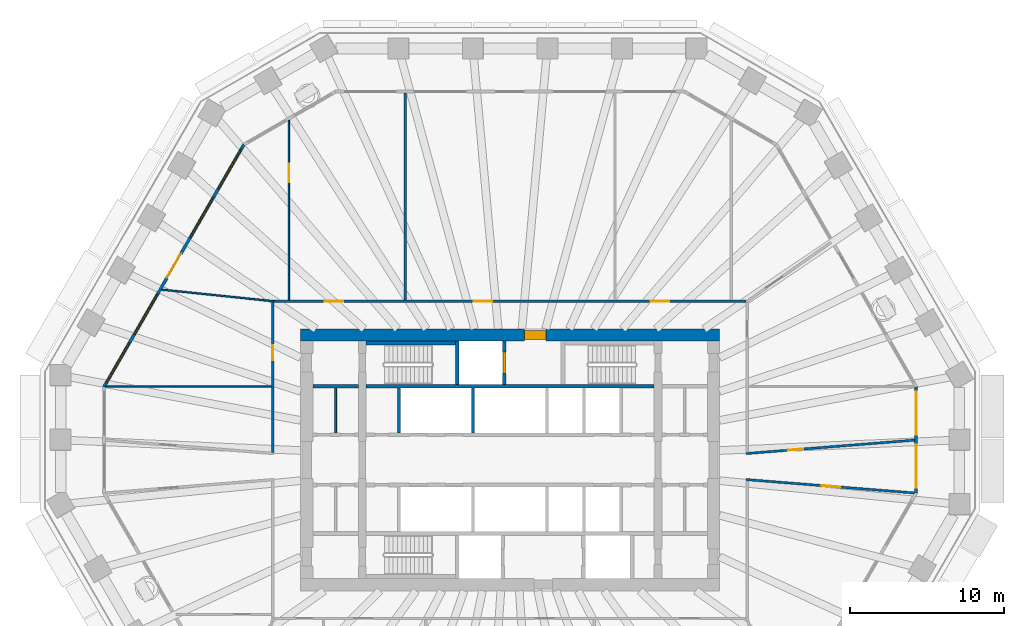
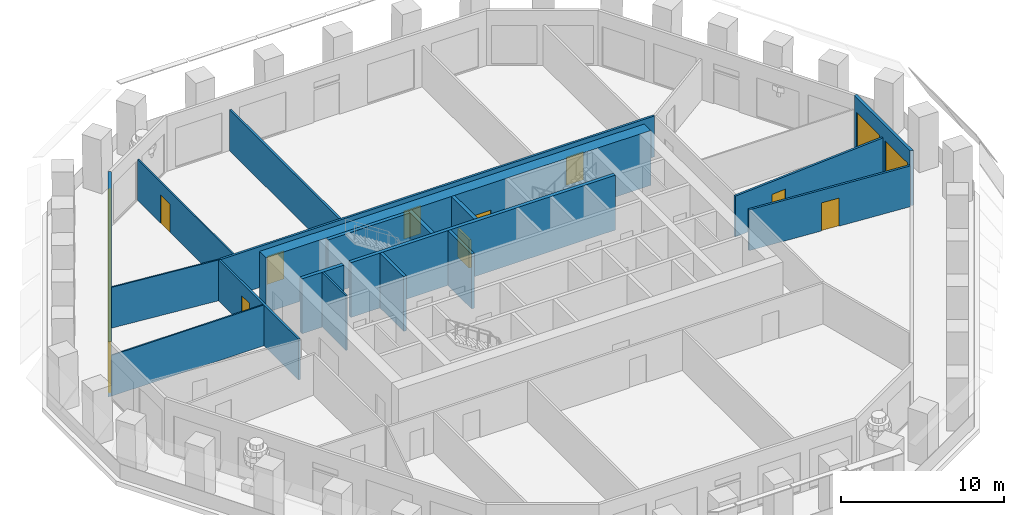
# One storey, part 6 of 12: 19 walls, 10 doors, 7 windows, 17 openings.
"""IFC4 building model written with IfcOpenShell, lengths in metres."""

from ifc_helpers import new_model, si_unit, direction, frame, frame_2d, origin, place, context, subcontext, project, spatial, polyline, rectangle, outline, extrude, material, layer, layer_set, type_object, element, fill, save


model = new_model("IFC4")

# Units and contexts
model_context = context("Model", 3, precision=1e-05, world=origin(), true_north=direction((0.0, 1.0)))
body_context = subcontext(model_context, "Body", "Model", "MODEL_VIEW")
ifc_project = project(units=[si_unit("LENGTHUNIT", "METRE"), si_unit("AREAUNIT", "SQUARE_METRE"), si_unit("VOLUMEUNIT", "CUBIC_METRE"), si_unit("PLANEANGLEUNIT", "RADIAN"), si_unit("MASSUNIT", "GRAM", prefix="KILO")], contexts=[model_context])

# Site, building, storey
site_placement = place(None, origin())
site = spatial("IfcSite", under=ifc_project, at=site_placement, CompositionType="ELEMENT")
building_placement = place(site_placement, origin())
building = spatial("IfcBuilding", under=site, at=building_placement, Name="Frailejon Research Tower", CompositionType="ELEMENT")
storey_placement = place(building_placement, frame((0.0, 0.0, 122.0)))
storey = spatial("IfcBuildingStorey", under=building, at=storey_placement, Name="L26", CompositionType="ELEMENT", Elevation=122.0)

# Wall
ifc_material_1 = material(Name="Plasterboard on steel studs", Category="steel")
ifc_layer_1 = layer(ifc_material_1, 0.125)
ifc_layer_set_1 = layer_set([ifc_layer_1], Name="Core partition 125")
wall_type_1 = type_object("IfcWallType", Name="Core partition 125", PredefinedType="PARTITIONING", material=ifc_layer_set_1)
wall_1_placement = place(storey_placement, frame((-11.324951171875, 1.75, 0.0), z_axis=(0.0, 0.0, 1.0), x_axis=(0.0, 1.0, 0.0)))
element("IfcWall", 1, at=wall_1_placement, inside=storey, type_object=wall_type_1, Name="Core partition", PredefinedType="PARTITIONING", context=body_context, shape_type="SweptSolid", body=[
    extrude(rectangle(XDim=2.89990234375, YDim=0.125, at=frame_2d((1.449951171875, 0.0))), origin(), (0.0, 0.0, 1.0), 4.10009765625),
])

# Wall, opening, door
ifc_material_2 = material(Name="Concrete C70/85", Category="concrete")
ifc_layer_2 = layer(ifc_material_2, 0.800048828125)
ifc_layer_set_2 = layer_set([ifc_layer_2], Name="Core shear wall 800 C70/85")
wall_type_2 = type_object("IfcWallType", Name="Core shear wall 800 C70/85", PredefinedType="SHEAR", material=ifc_layer_set_2)
wall_2_placement = place(storey_placement, frame((-13.60009765625, 8.10009765625, 0.0), z_axis=(0.0, 0.0, 1.0), x_axis=(1.0, 0.0, 0.0)))
wall_2 = element("IfcWall", 2, at=wall_2_placement, inside=storey, type_object=wall_type_2, Name="Core shear wall", PredefinedType="SHEAR", context=body_context, shape_type="SweptSolid", body=[
    extrude(rectangle(XDim=27.2001953125, YDim=0.800048828125, at=frame_2d((13.60009765625, 0.0))), origin(), (0.0, 0.0, 1.0), 4.10009765625),
])
opening_1_placement = place(wall_2_placement, frame((14.52490234375, 0.0, 0.0)))
opening_1 = element("IfcOpeningElement", 3, at=opening_1_placement, cuts=wall_2, Name="Opening D9", PredefinedType="OPENING", context=body_context, shape_type="SweptSolid", body=[
    extrude(rectangle(XDim=1.39990234375, YDim=2.10009765625, at=frame_2d((0.699951171875, 1.050048828125))), frame((0.0, 0.409912109375, 0.0), z_axis=(0.0, -1.0, 0.0), x_axis=(1.0, 0.0, 0.0)), (0.0, 0.0, 1.0), 0.820068359375),
])
ifc_material_3 = material(Name="Steel", Category="steel")
door_type_1 = type_object("IfcDoorType", Name="Goods lobby door", OperationType="DOUBLE_DOOR_SINGLE_SWING", PredefinedType="DOOR", material=ifc_material_3)
door_1_placement = place(opening_1_placement, origin())
door_1 = element("IfcDoor", 4, at=door_1_placement, inside=storey, type_object=door_type_1, Name="Goods lobby door", OperationType="DOUBLE_DOOR_SINGLE_SWING", OverallHeight=2.10009765625, OverallWidth=1.39990234375, PredefinedType="DOOR", context=body_context, shape_type="SweptSolid", body=[
    extrude(rectangle(XDim=1.39990234375, YDim=2.10009765625, at=frame_2d((0.699951171875, 1.050048828125))), frame((0.0, 0.300048828125, 0.0), z_axis=(0.0, -1.0, 0.0), x_axis=(1.0, 0.0, 0.0)), (0.0, 0.0, 1.0), 0.60009765625),
])
fill(opening_1, door_1)

# Wall, openings, doors
ifc_material_4 = material(Name="Gypsum board and masonry partition", Category="masonry")
ifc_layer_3 = layer(ifc_material_4, 0.14990234375)
ifc_layer_set_3 = layer_set([ifc_layer_3], Name="Corridor wall EI 60, gypsum on steel studs 150")
wall_type_3 = type_object("IfcWallType", Name="Corridor wall EI 60, gypsum on steel studs 150", PredefinedType="PARTITIONING", material=ifc_layer_set_3)
wall_3_placement = place(storey_placement, frame((-15.324951171875, 10.300048828125, 0.0), z_axis=(0.0, 0.0, 1.0), x_axis=(1.0, 0.0, 0.0)))
wall_3 = element("IfcWall", 5, at=wall_3_placement, inside=storey, type_object=wall_type_3, Name="T:IW:L26:003", PredefinedType="PARTITIONING", context=body_context, shape_type="SweptSolid", body=[
    extrude(rectangle(XDim=30.64990234375, YDim=0.14990234375, at=frame_2d((15.324951171875, 0.0))), origin(), (0.0, 0.0, 1.0), 3.050048828125),
])
opening_2_placement = place(wall_3_placement, frame((24.460205078125, 0.0, 0.0)))
opening_2 = element("IfcOpeningElement", 6, at=opening_2_placement, cuts=wall_3, Name="Opening D1634", PredefinedType="OPENING", context=body_context, shape_type="SweptSolid", body=[
    extrude(rectangle(XDim=1.199951171875, YDim=2.10009765625, at=frame_2d((0.60009765625, 1.050048828125))), frame((0.0, 0.0849609375, 0.0), z_axis=(0.0, -1.0, 0.0), x_axis=(1.0, 0.0, 0.0)), (0.0, 0.0, 1.0), 0.169921875),
])
opening_3_placement = place(wall_3_placement, frame((12.966796875, 0.0, 0.0)))
opening_3 = element("IfcOpeningElement", 7, at=opening_3_placement, cuts=wall_3, Name="Opening D1635", PredefinedType="OPENING", context=body_context, shape_type="SweptSolid", body=[
    extrude(rectangle(XDim=1.199951171875, YDim=2.10009765625, at=frame_2d((0.60009765625, 1.050048828125))), frame((0.0, 0.0849609375, 0.0), z_axis=(0.0, -1.0, 0.0), x_axis=(1.0, 0.0, 0.0)), (0.0, 0.0, 1.0), 0.169921875),
])
opening_4_placement = place(wall_3_placement, frame((3.297607421875, 0.0, 0.0)))
opening_4 = element("IfcOpeningElement", 8, at=opening_4_placement, cuts=wall_3, Name="Opening D1636", PredefinedType="OPENING", context=body_context, shape_type="SweptSolid", body=[
    extrude(rectangle(XDim=1.199951171875, YDim=2.10009765625, at=frame_2d((0.60009765625, 1.050048828125))), frame((0.0, 0.0849609375, 0.0), z_axis=(0.0, -1.0, 0.0), x_axis=(1.0, 0.0, 0.0)), (0.0, 0.0, 1.0), 0.169921875),
])
ifc_material_5 = material(Name="Timber door leaf", Category="wood")
door_type_2 = type_object("IfcDoorType", Name="Door laboratory, timber, vision panel 1200", OperationType="NOTDEFINED", PredefinedType="DOOR", material=ifc_material_5)
door_2_placement = place(opening_2_placement, origin())
door_2 = element("IfcDoor", 9, at=door_2_placement, inside=storey, type_object=door_type_2, Name="D1634", OperationType="DOUBLE_DOOR_SINGLE_SWING", OverallHeight=2.10009765625, OverallWidth=1.199951171875, PredefinedType="DOOR", context=body_context, shape_type="SweptSolid", body=[
    extrude(rectangle(XDim=1.199951171875, YDim=2.10009765625, at=frame_2d((0.60009765625, 1.050048828125))), frame((0.0, 0.02490234375, 0.0), z_axis=(0.0, -1.0, 0.0), x_axis=(1.0, 0.0, 0.0)), (0.0, 0.0, 1.0), 0.050048828125),
])
fill(opening_2, door_2)
door_3_placement = place(opening_3_placement, origin())
door_3 = element("IfcDoor", 10, at=door_3_placement, inside=storey, type_object=door_type_2, Name="D1635", OperationType="DOUBLE_DOOR_SINGLE_SWING", OverallHeight=2.10009765625, OverallWidth=1.199951171875, PredefinedType="DOOR", context=body_context, shape_type="SweptSolid", body=[
    extrude(rectangle(XDim=1.199951171875, YDim=2.10009765625, at=frame_2d((0.60009765625, 1.050048828125))), frame((0.0, 0.02490234375, 0.0), z_axis=(0.0, -1.0, 0.0), x_axis=(1.0, 0.0, 0.0)), (0.0, 0.0, 1.0), 0.050048828125),
])
fill(opening_3, door_3)
ifc_material_6 = material(Name="Timber door leaf", Category="wood")
door_type_3 = type_object("IfcDoorType", Name="Door single leaf, timber, steel frame 1200", OperationType="NOTDEFINED", PredefinedType="DOOR", material=ifc_material_6)
door_4_placement = place(opening_4_placement, origin())
door_4 = element("IfcDoor", 11, at=door_4_placement, inside=storey, type_object=door_type_3, Name="D1636", OperationType="DOUBLE_DOOR_SINGLE_SWING", OverallHeight=2.10009765625, OverallWidth=1.199951171875, PredefinedType="DOOR", context=body_context, shape_type="SweptSolid", body=[
    extrude(rectangle(XDim=1.199951171875, YDim=2.10009765625, at=frame_2d((0.60009765625, 1.050048828125))), frame((0.0, 0.02490234375, 0.0), z_axis=(0.0, -1.0, 0.0), x_axis=(1.0, 0.0, 0.0)), (0.0, 0.0, 1.0), 0.050048828125),
])
fill(opening_4, door_4)

# Wall, opening, door
wall_4_placement = place(storey_placement, frame((-15.39990234375, 0.48779296875, 0.0), z_axis=(0.0, 0.0, 1.0), x_axis=(0.0, 1.0, 0.0)))
wall_4 = element("IfcWall", 12, at=wall_4_placement, inside=storey, type_object=wall_type_3, Name="T:IW:L26:005", PredefinedType="PARTITIONING", context=body_context, shape_type="SweptSolid", body=[
    extrude(rectangle(XDim=9.76220703125, YDim=0.14990234375, at=frame_2d((4.881103515625, 0.0))), origin(), (0.0, 0.0, 1.0), 3.050048828125),
])
opening_5_placement = place(wall_4_placement, frame((5.965576171875, 0.0, 0.0)))
opening_5 = element("IfcOpeningElement", 13, at=opening_5_placement, cuts=wall_4, Name="Opening D1638", PredefinedType="OPENING", context=body_context, shape_type="SweptSolid", body=[
    extrude(rectangle(XDim=1.0, YDim=2.10009765625, at=frame_2d((0.5, 1.050048828125))), frame((0.0, 0.0849609375, 0.0), z_axis=(0.0, -1.0, 0.0), x_axis=(1.0, 0.0, 0.0)), (0.0, 0.0, 1.0), 0.169921875),
])
ifc_material_7 = material(Name="Timber door leaf", Category="wood")
door_type_4 = type_object("IfcDoorType", Name="Door single leaf, timber, steel frame 1000", OperationType="NOTDEFINED", PredefinedType="DOOR", material=ifc_material_7)
door_5_placement = place(opening_5_placement, origin())
door_5 = element("IfcDoor", 14, at=door_5_placement, inside=storey, type_object=door_type_4, Name="D1638", OperationType="SINGLE_SWING_RIGHT", OverallHeight=2.10009765625, OverallWidth=1.0, PredefinedType="DOOR", context=body_context, shape_type="SweptSolid", body=[
    extrude(rectangle(XDim=1.0, YDim=2.10009765625, at=frame_2d((0.5, 1.050048828125))), frame((0.0, 0.02490234375, 0.0), z_axis=(0.0, -1.0, 0.0), x_axis=(1.0, 0.0, 0.0)), (0.0, 0.0, 1.0), 0.050048828125),
])
fill(opening_5, door_5)

wall_5_placement = place(storey_placement, frame((15.3251953125, 0.40673828125, 0.0), z_axis=(0.0, 0.0, 1.0), x_axis=(0.996835062106, 0.079497540564, 0.0)))
wall_5 = element("IfcWall", 15, at=wall_5_placement, inside=storey, type_object=wall_type_3, Name="T:IW:L26:009", PredefinedType="PARTITIONING", context=body_context, shape_type="SweptSolid", body=[
    extrude(rectangle(XDim=10.9697265625, YDim=0.14990234375, at=frame_2d((5.48486328125, 0.0))), origin(), (0.0, 0.0, 1.0), 3.050048828125),
])
opening_6_placement = place(wall_5_placement, frame((2.7236328125, 0.0, 0.0)))
opening_6 = element("IfcOpeningElement", 16, at=opening_6_placement, cuts=wall_5, Name="Opening D1631", PredefinedType="OPENING", context=body_context, shape_type="SweptSolid", body=[
    extrude(rectangle(XDim=1.0, YDim=2.10009765625, at=frame_2d((0.5, 1.050048828125))), frame((0.0, 0.0849609375, 0.0), z_axis=(0.0, -1.0, 0.0), x_axis=(1.0, 0.0, 0.0)), (0.0, 0.0, 1.0), 0.169921875),
])
door_6_placement = place(opening_6_placement, origin())
door_6 = element("IfcDoor", 17, at=door_6_placement, inside=storey, type_object=door_type_4, Name="D1631", OperationType="SINGLE_SWING_RIGHT", OverallHeight=2.10009765625, OverallWidth=1.0, PredefinedType="DOOR", context=body_context, shape_type="SweptSolid", body=[
    extrude(rectangle(XDim=1.0, YDim=2.10009765625, at=frame_2d((0.5, 1.050048828125))), frame((0.0, 0.02490234375, 0.0), z_axis=(0.0, -1.0, 0.0), x_axis=(1.0, 0.0, 0.0)), (0.0, 0.0, 1.0), 0.050048828125),
])
fill(opening_6, door_6)

wall_6_placement = place(storey_placement, frame((15.3251953125, -1.28125, 0.0), z_axis=(0.0, 0.0, 1.0), x_axis=(0.996835453058, -0.079492638187, 0.0)))
wall_6 = element("IfcWall", 18, at=wall_6_placement, inside=storey, type_object=wall_type_3, Name="T:IW:L26:010", PredefinedType="PARTITIONING", context=body_context, shape_type="SweptSolid", body=[
    extrude(rectangle(XDim=10.948974609375, YDim=0.14990234375, at=frame_2d((5.474609375, 0.0))), origin(), (0.0, 0.0, 1.0), 3.050048828125),
])
opening_7_placement = place(wall_6_placement, frame((4.912109375, 0.0, 0.0)))
opening_7 = element("IfcOpeningElement", 19, at=opening_7_placement, cuts=wall_6, Name="Opening D1646", PredefinedType="OPENING", context=body_context, shape_type="SweptSolid", body=[
    extrude(rectangle(XDim=1.199951171875, YDim=2.10009765625, at=frame_2d((0.60009765625, 1.050048828125))), frame((0.0, 0.0849609375, 0.0), z_axis=(0.0, -1.0, 0.0), x_axis=(1.0, 0.0, 0.0)), (0.0, 0.0, 1.0), 0.169921875),
])
door_7_placement = place(opening_7_placement, origin())
door_7 = element("IfcDoor", 20, at=door_7_placement, inside=storey, type_object=door_type_3, Name="D1646", OperationType="DOUBLE_DOOR_SINGLE_SWING", OverallHeight=2.10009765625, OverallWidth=1.199951171875, PredefinedType="DOOR", context=body_context, shape_type="SweptSolid", body=[
    extrude(rectangle(XDim=1.199951171875, YDim=2.10009765625, at=frame_2d((0.60009765625, 1.050048828125))), frame((0.0, 0.02490234375, 0.0), z_axis=(0.0, -1.0, 0.0), x_axis=(1.0, 0.0, 0.0)), (0.0, 0.0, 1.0), 0.050048828125),
])
fill(opening_7, door_7)

# Walls
ifc_material_8 = material(Name="Gypsum board and masonry partition", Category="masonry")
ifc_layer_4 = layer(ifc_material_8, 0.14990234375)
ifc_layer_set_4 = layer_set([ifc_layer_4], Name="Laboratory partition, blockwork 150")
wall_type_4 = type_object("IfcWallType", Name="Laboratory partition, blockwork 150", PredefinedType="PARTITIONING", material=ifc_layer_set_4)
wall_7_placement = place(storey_placement, frame((-6.810791015625, 10.375, 0.0), z_axis=(0.0, 0.0, 1.0), x_axis=(0.0, 1.0, 0.0)))
element("IfcWall", 21, at=wall_7_placement, inside=storey, type_object=wall_type_4, Name="T:IW:L26:014", PredefinedType="PARTITIONING", context=body_context, shape_type="SweptSolid", body=[
    extrude(rectangle(XDim=13.425048828125, YDim=0.14990234375, at=frame_2d((6.71240234375, 0.0))), origin(), (0.0, 0.0, 1.0), 3.050048828125),
])
ifc_material_9 = material(Name="Gypsum board and masonry partition", Category="masonry")
ifc_layer_5 = layer(ifc_material_9, 0.10009765625)
ifc_layer_set_5 = layer_set([ifc_layer_5], Name="Partition, gypsum on steel studs 100")
wall_type_5 = type_object("IfcWallType", Name="Partition, gypsum on steel studs 100", PredefinedType="PARTITIONING", material=ifc_layer_set_5)
wall_8_placement = place(storey_placement, frame((-26.2294921875, 4.7587890625, 0.0), z_axis=(0.0, 0.0, 1.0), x_axis=(1.0, 0.0, 0.0)))
element("IfcWall", 22, at=wall_8_placement, inside=storey, type_object=wall_type_5, Name="T:IW:L26:020", PredefinedType="PARTITIONING", context=body_context, shape_type="SweptSolid", body=[
    extrude(rectangle(XDim=10.75439453125, YDim=0.10009765625, at=frame_2d((5.377197265625, 0.0))), origin(), (0.0, 0.0, 1.0), 3.050048828125),
])

# Wall, opening, door
wall_9_placement = place(storey_placement, frame((-14.3515625, 10.375, 0.0), z_axis=(0.0, 0.0, 1.0), x_axis=(0.0, 1.0, 0.0)))
wall_9 = element("IfcWall", 23, at=wall_9_placement, inside=storey, type_object=wall_type_5, Name="T:IW:L26:022", PredefinedType="PARTITIONING", context=body_context, shape_type="SweptSolid", body=[
    extrude(rectangle(XDim=11.662109375, YDim=0.10009765625, at=frame_2d((5.8310546875, 0.0))), origin(), (0.0, 0.0, 1.0), 3.050048828125),
])
opening_8_placement = place(wall_9_placement, frame((7.65283203125, 0.0, 0.0)))
opening_8 = element("IfcOpeningElement", 24, at=opening_8_placement, cuts=wall_9, Name="Opening D1637", PredefinedType="OPENING", context=body_context, shape_type="SweptSolid", body=[
    extrude(rectangle(XDim=1.199951171875, YDim=2.10009765625, at=frame_2d((0.60009765625, 1.050048828125))), frame((0.0, 0.06005859375, 0.0), z_axis=(0.0, -1.0, 0.0), x_axis=(1.0, 0.0, 0.0)), (0.0, 0.0, 1.0), 0.1201171875),
])
door_8_placement = place(opening_8_placement, origin())
door_8 = element("IfcDoor", 25, at=door_8_placement, inside=storey, type_object=door_type_3, Name="D1637", OperationType="DOUBLE_DOOR_SINGLE_SWING", OverallHeight=2.10009765625, OverallWidth=1.199951171875, PredefinedType="DOOR", context=body_context, shape_type="SweptSolid", body=[
    extrude(rectangle(XDim=1.199951171875, YDim=2.10009765625, at=frame_2d((0.60009765625, 1.050048828125))), frame((0.0, 0.02490234375, 0.0), z_axis=(0.0, -1.0, 0.0), x_axis=(1.0, 0.0, 0.0)), (0.0, 0.0, 1.0), 0.050048828125),
])
fill(opening_8, door_8)

# Walls
wall_10_placement = place(storey_placement, frame((-22.598876953125, 11.047119140625, 0.0), z_axis=(0.0, 0.0, 1.0), x_axis=(0.99465733025, -0.103231755677, 0.0)))
element("IfcWall", 26, at=wall_10_placement, inside=storey, type_object=wall_type_5, Name="T:IW:L26:023", PredefinedType="PARTITIONING", context=body_context, shape_type="SweptSolid", body=[
    extrude(rectangle(XDim=7.3125, YDim=0.10009765625, at=frame_2d((3.65625, 0.0))), origin(), (0.0, 0.0, 1.0), 3.050048828125),
])
ifc_material_10 = material(Name="Concrete C70/85", Category="concrete")
ifc_layer_6 = layer(ifc_material_10, 0.199951171875)
ifc_layer_set_6 = layer_set([ifc_layer_6], Name="Shaft wall 200 C70/85")
wall_type_6 = type_object("IfcWallType", Name="Shaft wall 200 C70/85", PredefinedType="SOLIDWALL", material=ifc_layer_set_6)
for number, where, z_axis, x_axis, name in (
    (27, (-7.199951171875, 1.75, 0.0), (0.0, 0.0, 1.0), (0.0, 1.0, 0.0), "Shaft wall"),
    (28, (-2.39990234375, 1.75, 0.0), (0.0, 0.0, 1.0), (0.0, 1.0, 0.0), "Shaft wall"),
):
    element("IfcWall", number, at=place(storey_placement, frame(where, z_axis=z_axis, x_axis=x_axis)), inside=storey, type_object=wall_type_6, Name=name, PredefinedType="SOLIDWALL", context=body_context, shape_type="SweptSolid", body=[
        extrude(rectangle(XDim=2.89990234375, YDim=0.199951171875, at=frame_2d((1.449951171875, 0.0))), origin(), (0.0, 0.0, 1.0), 4.10009765625),
    ])
ifc_material_11 = material(Name="Concrete C70/85", Category="concrete")
ifc_layer_7 = layer(ifc_material_11, 0.25)
ifc_layer_set_7 = layer_set([ifc_layer_7], Name="Shaft wall 250 C70/85")
wall_type_7 = type_object("IfcWallType", Name="Shaft wall 250 C70/85", PredefinedType="SOLIDWALL", material=ifc_layer_set_7)
wall_11_placement = place(storey_placement, frame((-12.800048828125, 4.77490234375, 0.0), z_axis=(0.0, 0.0, 1.0), x_axis=(1.0, 0.0, 0.0)))
element("IfcWall", 29, at=wall_11_placement, inside=storey, type_object=wall_type_7, Name="Shaft wall", PredefinedType="SOLIDWALL", context=body_context, shape_type="SweptSolid", body=[
    extrude(rectangle(XDim=2.949951171875, YDim=0.25, at=frame_2d((1.47509765625, 0.0))), origin(), (0.0, 0.0, 1.0), 4.10009765625),
])
wall_12_placement = place(storey_placement, frame((-9.35009765625, 4.77490234375, 0.0), z_axis=(0.0, 0.0, 1.0), x_axis=(1.0, 0.0, 0.0)))
element("IfcWall", 30, at=wall_12_placement, inside=storey, type_object=wall_type_7, Name="Shaft wall", PredefinedType="SOLIDWALL", context=body_context, shape_type="SweptSolid", body=[
    extrude(rectangle(XDim=18.7001953125, YDim=0.25, at=frame_2d((9.35009765625, 0.0))), origin(), (0.0, 0.0, 1.0), 4.10009765625),
])
wall_13_placement = place(storey_placement, frame((-9.35009765625, 7.574951171875, 0.0), z_axis=(0.0, 0.0, 1.0), x_axis=(1.0, 0.0, 0.0)))
element("IfcWall", 31, at=wall_13_placement, inside=storey, type_object=wall_type_7, Name="Shaft wall", PredefinedType="SOLIDWALL", context=body_context, shape_type="SweptSolid", body=[
    extrude(rectangle(XDim=5.800048828125, YDim=0.25, at=frame_2d((2.89990234375, 0.0))), origin(), (0.0, 0.0, 1.0), 4.10009765625),
])
wall_14_placement = place(storey_placement, frame((-3.425048828125, 4.89990234375, 0.0), z_axis=(0.0, 0.0, 1.0), x_axis=(0.0, 1.0, 0.0)))
element("IfcWall", 32, at=wall_14_placement, inside=storey, type_object=wall_type_7, Name="Shaft wall", PredefinedType="SOLIDWALL", context=body_context, shape_type="SweptSolid", body=[
    extrude(rectangle(XDim=2.800048828125, YDim=0.25, at=frame_2d((1.39990234375, 0.0))), origin(), (0.0, 0.0, 1.0), 4.10009765625),
])

# Wall, opening, door
wall_15_placement = place(storey_placement, frame((-0.375, 4.89990234375, 0.0), z_axis=(0.0, 0.0, 1.0), x_axis=(0.0, 1.0, 0.0)))
wall_15 = element("IfcWall", 33, at=wall_15_placement, inside=storey, type_object=wall_type_7, Name="Shaft wall", PredefinedType="SOLIDWALL", context=body_context, shape_type="SweptSolid", body=[
    extrude(rectangle(XDim=2.800048828125, YDim=0.25, at=frame_2d((1.39990234375, 0.0))), origin(), (0.0, 0.0, 1.0), 4.10009765625),
])
opening_9_placement = place(wall_15_placement, frame((0.699951171875, 0.0, 0.0)))
opening_9 = element("IfcOpeningElement", 34, at=opening_9_placement, cuts=wall_15, Name="Opening LD2", PredefinedType="OPENING", context=body_context, shape_type="SweptSolid", body=[
    extrude(rectangle(XDim=1.39990234375, YDim=2.10009765625, at=frame_2d((0.699951171875, 1.050048828125))), frame((0.0, 0.135009765625, 0.0), z_axis=(0.0, -1.0, 0.0), x_axis=(1.0, 0.0, 0.0)), (0.0, 0.0, 1.0), 0.27001953125),
])
ifc_material_12 = material(Name="Stainless steel", Category="steel")
door_type_5 = type_object("IfcDoorType", Name="Goods landing door", OperationType="DOUBLE_DOOR_SLIDING", PredefinedType="DOOR", material=ifc_material_12)
door_9_placement = place(opening_9_placement, origin())
door_9 = element("IfcDoor", 35, at=door_9_placement, inside=storey, type_object=door_type_5, Name="Lift landing door", OperationType="DOUBLE_DOOR_SLIDING", OverallHeight=2.10009765625, OverallWidth=1.39990234375, PredefinedType="DOOR", context=body_context, shape_type="SweptSolid", body=[
    extrude(rectangle(XDim=1.39990234375, YDim=2.10009765625, at=frame_2d((0.699951171875, 1.050048828125))), frame((0.0, 0.074951171875, 0.0), z_axis=(0.0, -1.0, 0.0), x_axis=(1.0, 0.0, 0.0)), (0.0, 0.0, 1.0), 0.14990234375),
])
fill(opening_9, door_9)

# Wall, openings, windows
ifc_material_13 = material(Name="Concrete C40/50 precast window wall panel", Category="concrete")
ifc_layer_8 = layer(ifc_material_13, 0.199951171875)
ifc_layer_set_8 = layer_set([ifc_layer_8], Name="Window wall 200")
wall_type_8 = type_object("IfcWallType", Name="Window wall 200", PredefinedType="SOLIDWALL", material=ifc_layer_set_8)
wall_16_placement = place(storey_placement, frame((26.3603515625, -2.142578125, 0.0), z_axis=(0.0, 0.0, 1.0), x_axis=(0.0, 1.0, 0.0)))
wall_16 = element("IfcWall", 36, at=wall_16_placement, inside=storey, type_object=wall_type_8, Name="Exterior wall L26", PredefinedType="SOLIDWALL", context=body_context, shape_type="SweptSolid", body=[
    extrude(outline(polyline([(-0.02685546875, -0.10009765625), (1.1279296875, -0.10009765625), (2.28271484375, -0.10009765625), (3.4375, -0.10009765625), (4.592041015625, -0.10009765625), (5.746826171875, -0.10009765625), (6.901611328125, -0.10009765625), (6.847900390625, 0.10009765625), (5.7109375, 0.10009765625), (4.57421875, 0.10009765625), (3.4375, 0.10009765625), (2.300537109375, 0.10009765625), (1.16357421875, 0.10009765625), (0.02685546875, 0.10009765625), (-0.02685546875, -0.10009765625)])), origin(), (0.0, 0.0, 1.0), 4.10009765625),
])
opening_10_placement = place(wall_16_placement, frame((0.318603515625, 0.0, 0.10009765625)))
opening_10 = element("IfcOpeningElement", 37, at=opening_10_placement, cuts=wall_16, Name="Opening W3", PredefinedType="OPENING", context=body_context, shape_type="SweptSolid", body=[
    extrude(rectangle(XDim=2.800048828125, YDim=2.89990234375, at=frame_2d((1.39990234375, 1.449951171875))), frame((0.0, 0.10986328125, 0.0), z_axis=(0.0, -1.0, 0.0), x_axis=(1.0, 0.0, 0.0)), (0.0, 0.0, 1.0), 0.219970703125),
])
opening_11_placement = place(wall_16_placement, frame((3.756103515625, 0.0, 0.10009765625)))
opening_11 = element("IfcOpeningElement", 38, at=opening_11_placement, cuts=wall_16, Name="Opening W3", PredefinedType="OPENING", context=body_context, shape_type="SweptSolid", body=[
    extrude(rectangle(XDim=2.800048828125, YDim=2.89990234375, at=frame_2d((1.39990234375, 1.449951171875))), frame((0.0, 0.10986328125, 0.0), z_axis=(0.0, -1.0, 0.0), x_axis=(1.0, 0.0, 0.0)), (0.0, 0.0, 1.0), 0.219970703125),
])
ifc_material_14 = material(Name="Aluminium framed double glazing", Category="aluminium")
window_type_1 = type_object("IfcWindowType", Name="Window 2800x2900", PartitioningType="SINGLE_PANEL", PredefinedType="WINDOW", material=ifc_material_14)
window_1_placement = place(opening_10_placement, origin())
window_1 = element("IfcWindow", 39, at=window_1_placement, inside=storey, type_object=window_type_1, Name="Window L26", OverallHeight=2.89990234375, OverallWidth=2.800048828125, PartitioningType="SINGLE_PANEL", PredefinedType="WINDOW", context=body_context, shape_type="SweptSolid", body=[
    extrude(rectangle(XDim=2.800048828125, YDim=2.89990234375, at=frame_2d((1.39990234375, 1.449951171875))), frame((0.0, 0.030029296875, 0.0), z_axis=(0.0, -1.0, 0.0), x_axis=(1.0, 0.0, 0.0)), (0.0, 0.0, 1.0), 0.06005859375),
])
fill(opening_10, window_1)
window_2_placement = place(opening_11_placement, origin())
window_2 = element("IfcWindow", 40, at=window_2_placement, inside=storey, type_object=window_type_1, Name="Window L26", OverallHeight=2.89990234375, OverallWidth=2.800048828125, PartitioningType="SINGLE_PANEL", PredefinedType="WINDOW", context=body_context, shape_type="SweptSolid", body=[
    extrude(rectangle(XDim=2.800048828125, YDim=2.89990234375, at=frame_2d((1.39990234375, 1.449951171875))), frame((0.0, 0.030029296875, 0.0), z_axis=(0.0, -1.0, 0.0), x_axis=(1.0, 0.0, 0.0)), (0.0, 0.0, 1.0), 0.06005859375),
])
fill(opening_11, window_2)

# Wall, openings, door, windows
wall_17_placement = place(storey_placement, frame((-17.2783203125, 20.462646484375, 0.0), z_axis=(0.0, 0.0, 1.0), x_axis=(-0.500001688065, -0.866024429177, 0.0)))
wall_17 = element("IfcWall", 41, at=wall_17_placement, inside=storey, type_object=wall_type_8, Name="Exterior wall L26", PredefinedType="SOLIDWALL", context=body_context, shape_type="SweptSolid", body=[
    extrude(outline(polyline([(-0.02685546875, -0.10009765625), (0.9853515625, -0.10009765625), (1.997314453125, -0.10009765625), (3.009521484375, -0.10009765625), (4.021484375, -0.10009765625), (5.03369140625, -0.10009765625), (6.045654296875, -0.10009765625), (7.057861328125, -0.10009765625), (8.06982421875, -0.10009765625), (9.08203125, -0.10009765625), (10.09423828125, -0.10009765625), (11.106201171875, -0.10009765625), (12.118408203125, -0.10009765625), (13.13037109375, -0.10009765625), (14.142578125, -0.10009765625), (15.154541015625, -0.10009765625), (16.166748046875, -0.10009765625), (17.1787109375, -0.10009765625), (18.19091796875, -0.10009765625), (18.13720703125, 0.10009765625), (17.131103515625, 0.10009765625), (16.125, 0.10009765625), (15.118896484375, 0.10009765625), (14.11279296875, 0.10009765625), (13.1064453125, 0.10009765625), (12.100341796875, 0.10009765625), (11.09423828125, 0.10009765625), (10.088134765625, 0.10009765625), (9.08203125, 0.10009765625), (8.075927734375, 0.10009765625), (7.06982421875, 0.10009765625), (6.063720703125, 0.10009765625), (5.0576171875, 0.10009765625), (4.05126953125, 0.10009765625), (3.045166015625, 0.10009765625), (2.0390625, 0.10009765625), (1.032958984375, 0.10009765625), (0.02685546875, 0.10009765625), (-0.02685546875, -0.10009765625)])), origin(), (0.0, 0.0, 1.0), 4.10009765625),
])
opening_12_placement = place(wall_17_placement, frame((0.31640625, 0.0, 0.10009765625)))
opening_12 = element("IfcOpeningElement", 42, at=opening_12_placement, cuts=wall_17, Name="Opening W4", PredefinedType="OPENING", context=body_context, shape_type="SweptSolid", body=[
    extrude(rectangle(XDim=3.0, YDim=2.89990234375, at=frame_2d((1.5, 1.449951171875))), frame((0.0, 0.10986328125, 0.0), z_axis=(0.0, -1.0, 0.0), x_axis=(1.0, 0.0, 0.0)), (0.0, 0.0, 1.0), 0.219970703125),
])
opening_13_placement = place(wall_17_placement, frame((3.94921875, 0.0, 0.10009765625)))
opening_13 = element("IfcOpeningElement", 43, at=opening_13_placement, cuts=wall_17, Name="Opening W4", PredefinedType="OPENING", context=body_context, shape_type="SweptSolid", body=[
    extrude(rectangle(XDim=3.0, YDim=2.89990234375, at=frame_2d((1.5, 1.449951171875))), frame((0.0, 0.10986328125, 0.0), z_axis=(0.0, -1.0, 0.0), x_axis=(1.0, 0.0, 0.0)), (0.0, 0.0, 1.0), 0.219970703125),
])
opening_14_placement = place(wall_17_placement, frame((8.18212890625, 0.0, 0.0)))
opening_14 = element("IfcOpeningElement", 44, at=opening_14_placement, cuts=wall_17, Name="Opening LG26-3", PredefinedType="OPENING", context=body_context, shape_type="SweptSolid", body=[
    extrude(rectangle(XDim=1.800048828125, YDim=2.39990234375, at=frame_2d((0.89990234375, 1.199951171875))), frame((0.0, 0.10986328125, 0.0), z_axis=(0.0, -1.0, 0.0), x_axis=(1.0, 0.0, 0.0)), (0.0, 0.0, 1.0), 0.219970703125),
])
opening_15_placement = place(wall_17_placement, frame((8.18212890625, 0.0, 2.550048828125)))
opening_15 = element("IfcOpeningElement", 45, at=opening_15_placement, cuts=wall_17, Name="Opening W1", PredefinedType="OPENING", context=body_context, shape_type="SweptSolid", body=[
    extrude(rectangle(XDim=1.800048828125, YDim=0.449951171875, at=frame_2d((0.89990234375, 0.22509765625))), frame((0.0, 0.10986328125, 0.0), z_axis=(0.0, -1.0, 0.0), x_axis=(1.0, 0.0, 0.0)), (0.0, 0.0, 1.0), 0.219970703125),
])
opening_16_placement = place(wall_17_placement, frame((11.21484375, 0.0, 0.10009765625)))
opening_16 = element("IfcOpeningElement", 46, at=opening_16_placement, cuts=wall_17, Name="Opening W4", PredefinedType="OPENING", context=body_context, shape_type="SweptSolid", body=[
    extrude(rectangle(XDim=3.0, YDim=2.89990234375, at=frame_2d((1.5, 1.449951171875))), frame((0.0, 0.10986328125, 0.0), z_axis=(0.0, -1.0, 0.0), x_axis=(1.0, 0.0, 0.0)), (0.0, 0.0, 1.0), 0.219970703125),
])
opening_17_placement = place(wall_17_placement, frame((14.84765625, 0.0, 0.10009765625)))
opening_17 = element("IfcOpeningElement", 47, at=opening_17_placement, cuts=wall_17, Name="Opening W4", PredefinedType="OPENING", context=body_context, shape_type="SweptSolid", body=[
    extrude(rectangle(XDim=3.0, YDim=2.89990234375, at=frame_2d((1.5, 1.449951171875))), frame((0.0, 0.10986328125, 0.0), z_axis=(0.0, -1.0, 0.0), x_axis=(1.0, 0.0, 0.0)), (0.0, 0.0, 1.0), 0.219970703125),
])
ifc_material_15 = material(Name="Aluminium framed glazed door leaf", Category="aluminium")
door_type_6 = type_object("IfcDoorType", Name="Loggia door 1800x2400", OperationType="DOUBLE_DOOR_SINGLE_SWING", PredefinedType="DOOR", material=ifc_material_15)
door_10_placement = place(opening_14_placement, origin())
door_10 = element("IfcDoor", 48, at=door_10_placement, inside=storey, type_object=door_type_6, Name="Door LG26-3", OperationType="DOUBLE_DOOR_SINGLE_SWING", OverallHeight=2.39990234375, OverallWidth=1.800048828125, PredefinedType="DOOR", context=body_context, shape_type="SweptSolid", body=[
    extrude(rectangle(XDim=1.800048828125, YDim=2.39990234375, at=frame_2d((0.89990234375, 1.199951171875))), frame((0.0, 0.02490234375, 0.0), z_axis=(0.0, -1.0, 0.0), x_axis=(1.0, 0.0, 0.0)), (0.0, 0.0, 1.0), 0.050048828125),
])
fill(opening_14, door_10)
ifc_material_16 = material(Name="Aluminium framed double glazing", Category="aluminium")
window_type_2 = type_object("IfcWindowType", Name="Window 1800x450", PartitioningType="SINGLE_PANEL", PredefinedType="WINDOW", material=ifc_material_16)
window_3_placement = place(opening_15_placement, origin())
window_3 = element("IfcWindow", 49, at=window_3_placement, inside=storey, type_object=window_type_2, Name="Window L26", OverallHeight=0.449951171875, OverallWidth=1.800048828125, PartitioningType="SINGLE_PANEL", PredefinedType="WINDOW", context=body_context, shape_type="SweptSolid", body=[
    extrude(rectangle(XDim=1.800048828125, YDim=0.449951171875, at=frame_2d((0.89990234375, 0.22509765625))), frame((0.0, 0.030029296875, 0.0), z_axis=(0.0, -1.0, 0.0), x_axis=(1.0, 0.0, 0.0)), (0.0, 0.0, 1.0), 0.06005859375),
])
fill(opening_15, window_3)
ifc_material_17 = material(Name="Aluminium framed double glazing", Category="aluminium")
window_type_3 = type_object("IfcWindowType", Name="Window 3000x2900", PartitioningType="SINGLE_PANEL", PredefinedType="WINDOW", material=ifc_material_17)
window_4_placement = place(opening_12_placement, origin())
window_4 = element("IfcWindow", 50, at=window_4_placement, inside=storey, type_object=window_type_3, Name="Window L26", OverallHeight=2.89990234375, OverallWidth=3.0, PartitioningType="SINGLE_PANEL", PredefinedType="WINDOW", context=body_context, shape_type="SweptSolid", body=[
    extrude(rectangle(XDim=3.0, YDim=2.89990234375, at=frame_2d((1.5, 1.449951171875))), frame((0.0, 0.030029296875, 0.0), z_axis=(0.0, -1.0, 0.0), x_axis=(1.0, 0.0, 0.0)), (0.0, 0.0, 1.0), 0.06005859375),
])
fill(opening_12, window_4)
window_5_placement = place(opening_13_placement, origin())
window_5 = element("IfcWindow", 51, at=window_5_placement, inside=storey, type_object=window_type_3, Name="Window L26", OverallHeight=2.89990234375, OverallWidth=3.0, PartitioningType="SINGLE_PANEL", PredefinedType="WINDOW", context=body_context, shape_type="SweptSolid", body=[
    extrude(rectangle(XDim=3.0, YDim=2.89990234375, at=frame_2d((1.5, 1.449951171875))), frame((0.0, 0.030029296875, 0.0), z_axis=(0.0, -1.0, 0.0), x_axis=(1.0, 0.0, 0.0)), (0.0, 0.0, 1.0), 0.06005859375),
])
fill(opening_13, window_5)
window_6_placement = place(opening_16_placement, origin())
window_6 = element("IfcWindow", 52, at=window_6_placement, inside=storey, type_object=window_type_3, Name="Window L26", OverallHeight=2.89990234375, OverallWidth=3.0, PartitioningType="SINGLE_PANEL", PredefinedType="WINDOW", context=body_context, shape_type="SweptSolid", body=[
    extrude(rectangle(XDim=3.0, YDim=2.89990234375, at=frame_2d((1.5, 1.449951171875))), frame((0.0, 0.030029296875, 0.0), z_axis=(0.0, -1.0, 0.0), x_axis=(1.0, 0.0, 0.0)), (0.0, 0.0, 1.0), 0.06005859375),
])
fill(opening_16, window_6)
window_7_placement = place(opening_17_placement, origin())
window_7 = element("IfcWindow", 53, at=window_7_placement, inside=storey, type_object=window_type_3, Name="Window L26", OverallHeight=2.89990234375, OverallWidth=3.0, PartitioningType="SINGLE_PANEL", PredefinedType="WINDOW", context=body_context, shape_type="SweptSolid", body=[
    extrude(rectangle(XDim=3.0, YDim=2.89990234375, at=frame_2d((1.5, 1.449951171875))), frame((0.0, 0.030029296875, 0.0), z_axis=(0.0, -1.0, 0.0), x_axis=(1.0, 0.0, 0.0)), (0.0, 0.0, 1.0), 0.06005859375),
])
fill(opening_17, window_7)

save(model, "model.ifc")
